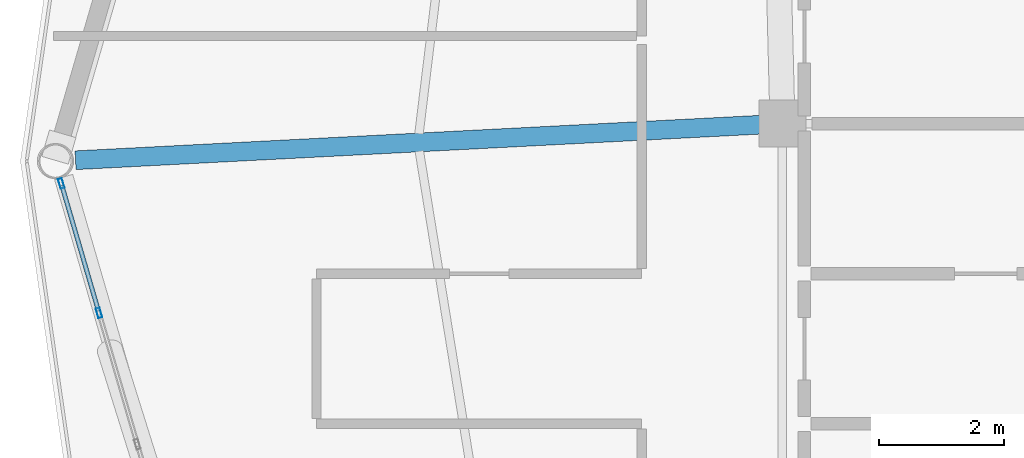
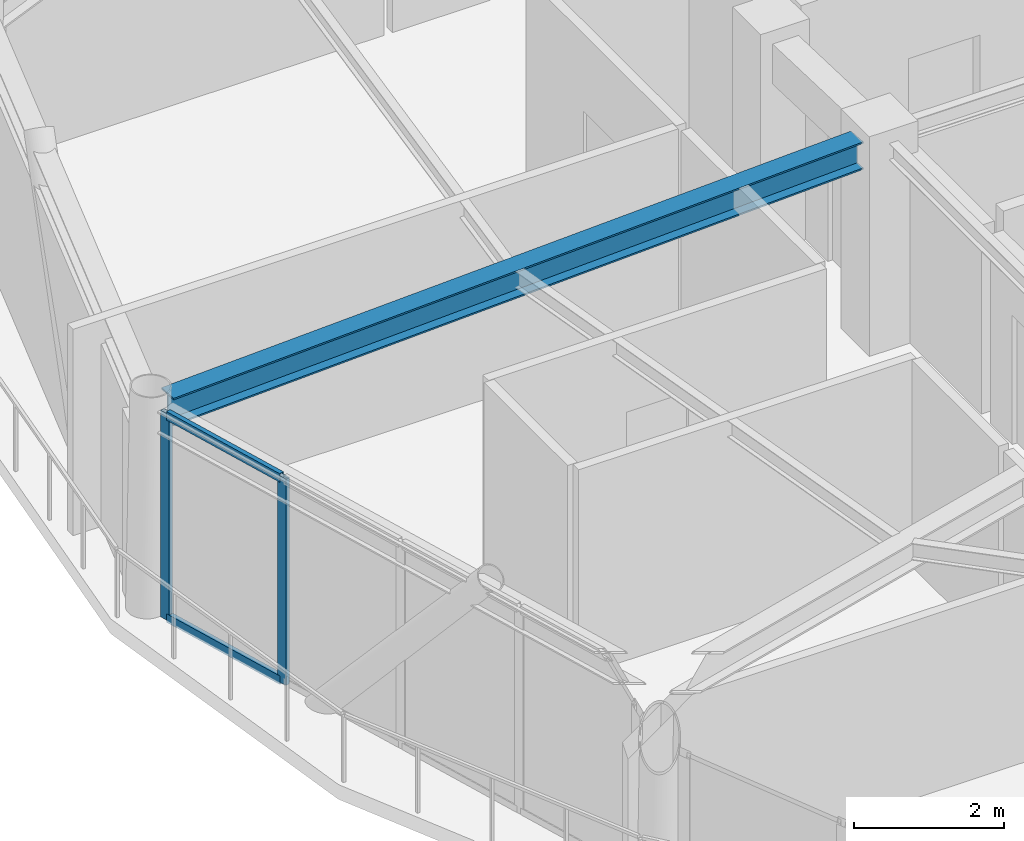
# One storey, part 11 of 27: 4 members, 1 beam, 1 element without a shape of its own.
"""IFC4 building model written with IfcOpenShell, lengths in metres."""

from ifc_helpers import new_model, si_unit, direction, frame, origin, origin_2d, place, context, subcontext, project, spatial, hollow_rectangle, i_section, extrude, material, layer, layer_set, material_profile, profile_set, type_object, element, aggregate, save


model = new_model("IFC4")

# Units and contexts
model_context = context("Model", 3, precision=1e-05, world=origin(), true_north=direction((0.0, 1.0)))
body_context = subcontext(model_context, "Body", "Model", "MODEL_VIEW")
ifc_project = project(units=[si_unit("LENGTHUNIT", "METRE"), si_unit("AREAUNIT", "SQUARE_METRE"), si_unit("VOLUMEUNIT", "CUBIC_METRE"), si_unit("PLANEANGLEUNIT", "RADIAN"), si_unit("MASSUNIT", "GRAM", prefix="KILO")], contexts=[model_context])

# Site, building, storey
site_placement = place(None, origin())
site = spatial("IfcSite", under=ifc_project, at=site_placement, CompositionType="ELEMENT")
building_placement = place(site_placement, origin())
building = spatial("IfcBuilding", under=site, at=building_placement, Name="Varnakorn Sky Granary", CompositionType="ELEMENT")
storey_placement = place(building_placement, frame((0.0, 0.0, 229.199951171875)))
storey = spatial("IfcBuildingStorey", under=building, at=storey_placement, Name="L58", CompositionType="ELEMENT", Elevation=229.199951171875)

# Beam
ifc_material_1 = material(Name="Steel S355JR", Category="steel")
ifc_material_profile_1 = material_profile(ifc_material_1, i_section(OverallWidth=0.300048828125, OverallDepth=0.449951171875, WebThickness=0.013916015625, FlangeThickness=0.02587890625, at=origin_2d()), Name="HE 450 B")
ifc_profile_set_1 = profile_set([ifc_material_profile_1], Name="Steel S355JR")
beam_type = type_object("IfcBeamType", Name="BM-RAD-Z5", PredefinedType="BEAM", material=ifc_profile_set_1)
beam_placement = place(storey_placement, frame((-2.70458984375, 0.58154296875, 3.135009765625), z_axis=(-0.998657288115, -0.051803676453, 0.0), x_axis=(0.051803676453, -0.998657288115, 0.0)))
element("IfcBeam", 1, at=beam_placement, inside=storey, type_object=beam_type, Name="Radial Floor Girder RG07 L58", PredefinedType="BEAM", context=body_context, shape_type="SweptSolid", body=[
    extrude(i_section(OverallWidth=0.300048828125, OverallDepth=0.449951171875, WebThickness=0.013916015625, FlangeThickness=0.02587890625, at=origin_2d()), origin(), (0.0, 0.0, 1.0), 10.9619140625),
])

# Curtain wall, members
ifc_material_2 = material(Name="Anodised Bronze Aluminium Alloy 6063-T6", Category="aluminium")
ifc_layer = layer(ifc_material_2, 0.169921875, Name="Anodised Bronze Aluminium Alloy 6063-T6")
ifc_layer_set = layer_set([ifc_layer], Name="Anodised Bronze Aluminium Alloy 6063-T6")
curtain_wall_type = type_object("IfcCurtainWallType", Name="CW-LAB-1", PredefinedType="USERDEFINED", material=ifc_layer_set)
curtain_wall_placement = place(storey_placement, origin())
curtain_wall = element("IfcCurtainWall", 2, at=curtain_wall_placement, inside=storey, type_object=curtain_wall_type, Name="Unitised Curtain Wall CW5 CW-L58-B07", ObjectType="CURTAIN WALL", PredefinedType="USERDEFINED")
ifc_material_profile_2 = material_profile(ifc_material_2, hollow_rectangle(XDim=0.06494140625, YDim=0.159912109375, WallThickness=0.00341796875, at=origin_2d()), Name="ALU MULL 65x160")
ifc_profile_set_2 = profile_set([ifc_material_profile_2], Name="Anodised Bronze Aluminium Alloy 6063-T6")
member_type_1 = type_object("IfcMemberType", Name="CW-LAB-1-MULL", PredefinedType="MULLION", material=ifc_profile_set_2)
member_1_placement = place(storey_placement, frame((-13.2763671875, -2.42626953125, 0.0), z_axis=(0.0, 0.0, 1.0), x_axis=(-0.96000908574, -0.27996884701, 0.0)))
member_1 = element("IfcMember", 3, at=member_1_placement, type_object=member_type_1, Name="CW5 mullion 4", PredefinedType="MULLION", context=body_context, shape_type="SweptSolid", body=[
    extrude(hollow_rectangle(XDim=0.06494140625, YDim=0.159912109375, WallThickness=0.00341796875, at=origin_2d()), origin(), (0.0, 0.0, 1.0), 3.360107421875),
])
member_2_placement = place(storey_placement, frame((-13.8798828125, -0.357177734375, 0.0), z_axis=(0.0, 0.0, 1.0), x_axis=(-0.96000908574, -0.27996884701, 0.0)))
member_2 = element("IfcMember", 4, at=member_2_placement, type_object=member_type_1, Name="CW5 mullion 5", PredefinedType="MULLION", context=body_context, shape_type="SweptSolid", body=[
    extrude(hollow_rectangle(XDim=0.06494140625, YDim=0.159912109375, WallThickness=0.00341796875, at=origin_2d()), origin(), (0.0, 0.0, 1.0), 3.360107421875),
])
ifc_material_profile_3 = material_profile(ifc_material_2, hollow_rectangle(XDim=0.070068359375, YDim=0.139892578125, WallThickness=0.00341796875, at=origin_2d()), Name="ALU TRAN 70x140")
ifc_profile_set_3 = profile_set([ifc_material_profile_3], Name="Anodised Bronze Aluminium Alloy 6063-T6")
member_type_2 = type_object("IfcMemberType", Name="CW-LAB-1-TRAN", PredefinedType="USERDEFINED", material=ifc_profile_set_3)
member_3_placement = place(storey_placement, frame((-13.28564453125, -2.39501953125, 0.03515625), z_axis=(-0.279946182622, 0.960015695099, 0.0), x_axis=(-0.960015695099, -0.279946182622, 0.0)))
member_3 = element("IfcMember", 5, at=member_3_placement, type_object=member_type_2, Name="CW5 transom 4.1", ObjectType="TRANSOM", PredefinedType="USERDEFINED", context=body_context, shape_type="SweptSolid", body=[
    extrude(hollow_rectangle(XDim=0.070068359375, YDim=0.139892578125, WallThickness=0.00341796875, at=origin_2d()), origin(), (0.0, 0.0, 1.0), 2.09033203125),
])
member_4_placement = place(storey_placement, frame((-13.28564453125, -2.39501953125, 3.324951171875), z_axis=(-0.279946182622, 0.960015695099, 0.0), x_axis=(-0.960015695099, -0.279946182622, 0.0)))
member_4 = element("IfcMember", 6, at=member_4_placement, type_object=member_type_2, Name="CW5 transom 4.2", ObjectType="TRANSOM", PredefinedType="USERDEFINED", context=body_context, shape_type="SweptSolid", body=[
    extrude(hollow_rectangle(XDim=0.070068359375, YDim=0.139892578125, WallThickness=0.00341796875, at=origin_2d()), origin(), (0.0, 0.0, 1.0), 2.09033203125),
])
aggregate(curtain_wall, [member_1, member_2, member_3, member_4])

save(model, "model.ifc")
